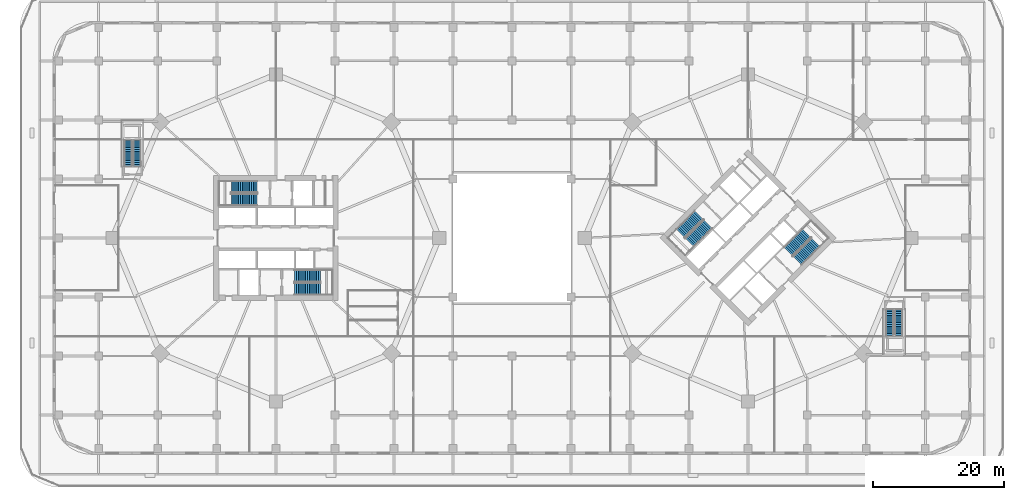
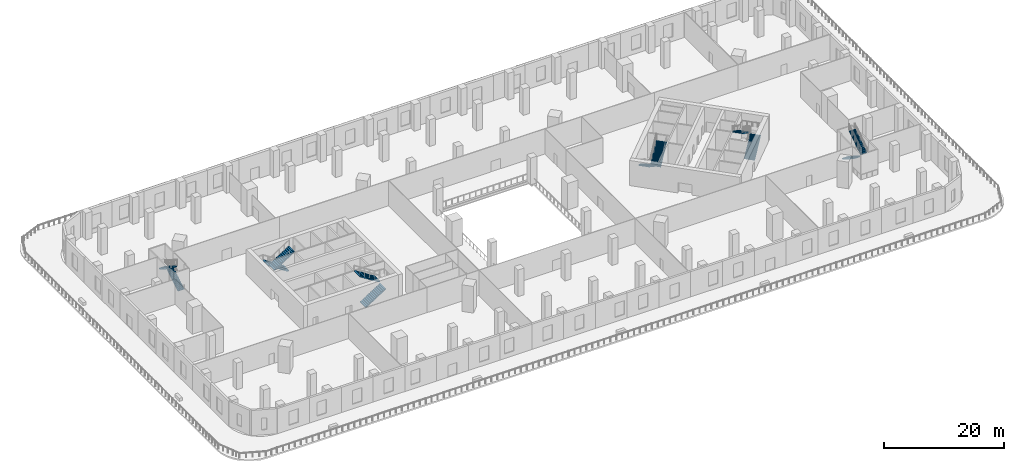
# One storey, part 13 of 20: 12 stair flights, 6 elements without a shape of their own.
"""IFC4 building model written with IfcOpenShell, lengths in metres."""

from ifc_helpers import new_model, si_unit, direction, frame, origin, place, context, subcontext, project, spatial, polyline, outline, extrude, material, type_object, element, aggregate, save


model = new_model("IFC4")

# Units and contexts
model_context = context("Model", 3, precision=1e-05, world=origin(), true_north=direction((0.0, 1.0)))
body_context = subcontext(model_context, "Body", "Model", "MODEL_VIEW")
ifc_project = project(units=[si_unit("LENGTHUNIT", "METRE"), si_unit("AREAUNIT", "SQUARE_METRE"), si_unit("VOLUMEUNIT", "CUBIC_METRE"), si_unit("PLANEANGLEUNIT", "RADIAN"), si_unit("MASSUNIT", "GRAM", prefix="KILO")], contexts=[model_context])

# Site, building, storey
site_placement = place(None, origin())
site = spatial("IfcSite", under=ifc_project, at=site_placement, CompositionType="ELEMENT")
building_placement = place(site_placement, origin())
building = spatial("IfcBuilding", under=site, at=building_placement, Name="Ogive Gate Towers", CompositionType="ELEMENT")
storey_placement = place(building_placement, frame((0.0, 0.0, 7.199951171875)))
storey = spatial("IfcBuildingStorey", under=building, at=storey_placement, Name="L01", CompositionType="ELEMENT", Elevation=7.199951171875)

# Stair, stair flights
ifc_material_1 = material(Name="Reinforced concrete C32/40", Category="concrete")
stair_type_1 = type_object("IfcStairType", Name="Escape stair 180 x 280", PredefinedType="HALF_TURN_STAIR", material=ifc_material_1)
stair_1_placement = place(storey_placement, origin())
stair_1 = element("IfcStair", 1, at=stair_1_placement, inside=storey, type_object=stair_type_1, Name="L01 escape stair", PredefinedType="HALF_TURN_STAIR")
stair_flight_type_1 = type_object("IfcStairFlightType", Name="Escape stair flight 180 x 280", PredefinedType="STRAIGHT", material=ifc_material_1)
stair_flight_1_placement = place(storey_placement, frame((-57.14990234375, 10.949951171875, 0.0), z_axis=(0.0, 0.0, 1.0), x_axis=(0.0, 1.0, 0.0)))
stair_flight_1 = element("IfcStairFlight", 2, at=stair_flight_1_placement, type_object=stair_flight_type_1, Name="PS1 flight 1", NumberOfRisers=15, NumberOfTreads=14, PredefinedType="STRAIGHT", RiserHeight=0.18, TreadLength=0.28, context=body_context, shape_type="SweptSolid", body=[
    extrude(outline(polyline([(0.0, 0.0), (0.0, 0.179931640625), (0.280029296875, 0.179931640625), (0.280029296875, 0.360107421875), (0.56005859375, 0.360107421875), (0.56005859375, 0.5400390625), (0.840087890625, 0.5400390625), (0.840087890625, 0.719970703125), (1.1201171875, 0.719970703125), (1.1201171875, 0.89990234375), (1.39990234375, 0.89990234375), (1.39990234375, 1.080078125), (1.679931640625, 1.080078125), (1.679931640625, 1.260009765625), (1.9599609375, 1.260009765625), (1.9599609375, 1.43994140625), (2.239990234375, 1.43994140625), (2.239990234375, 1.6201171875), (2.52001953125, 1.6201171875), (2.52001953125, 1.800048828125), (2.800048828125, 1.800048828125), (2.800048828125, 1.97998046875), (3.080078125, 1.97998046875), (3.080078125, 2.159912109375), (3.360107421875, 2.159912109375), (3.360107421875, 2.340087890625), (3.639892578125, 2.340087890625), (3.639892578125, 2.52001953125), (3.919921875, 2.52001953125), (3.919921875, 2.699951171875), (3.919921875, 2.341796875), (0.277099609375, 0.0), (0.0, 0.0)])), frame((0.0, 0.60009765625, 0.0), z_axis=(0.0, -1.0, 0.0), x_axis=(1.0, 0.0, 0.0)), (0.0, 0.0, 1.0), 1.199951171875),
])
stair_flight_2_placement = place(storey_placement, frame((-58.5, 14.8701171875, 2.699951171875), z_axis=(0.0, 0.0, 1.0), x_axis=(0.0, -1.0, 0.0)))
stair_flight_2 = element("IfcStairFlight", 3, at=stair_flight_2_placement, type_object=stair_flight_type_1, Name="PS1 flight 2", NumberOfRisers=15, NumberOfTreads=14, PredefinedType="STRAIGHT", RiserHeight=0.18, TreadLength=0.28, context=body_context, shape_type="SweptSolid", body=[
    extrude(outline(polyline([(0.0, 0.0), (0.0, 0.179931640625), (0.280029296875, 0.179931640625), (0.280029296875, 0.360107421875), (0.56005859375, 0.360107421875), (0.56005859375, 0.5400390625), (0.840087890625, 0.5400390625), (0.840087890625, 0.719970703125), (1.1201171875, 0.719970703125), (1.1201171875, 0.89990234375), (1.39990234375, 0.89990234375), (1.39990234375, 1.080078125), (1.679931640625, 1.080078125), (1.679931640625, 1.260009765625), (1.9599609375, 1.260009765625), (1.9599609375, 1.43994140625), (2.239990234375, 1.43994140625), (2.239990234375, 1.6201171875), (2.52001953125, 1.6201171875), (2.52001953125, 1.800048828125), (2.800048828125, 1.800048828125), (2.800048828125, 1.97998046875), (3.080078125, 1.97998046875), (3.080078125, 2.159912109375), (3.360107421875, 2.159912109375), (3.360107421875, 2.340087890625), (3.639892578125, 2.340087890625), (3.639892578125, 2.52001953125), (3.919921875, 2.52001953125), (3.919921875, 2.699951171875), (3.919921875, 2.341796875), (0.277099609375, 0.0), (0.0, 0.0)])), frame((0.0, 0.60009765625, 0.0), z_axis=(0.0, -1.0, 0.0), x_axis=(1.0, 0.0, 0.0)), (0.0, 0.0, 1.0), 1.199951171875),
])
aggregate(stair_1, [stair_flight_1, stair_flight_2])

stair_2_placement = place(storey_placement, origin())
stair_2 = element("IfcStair", 4, at=stair_2_placement, inside=storey, type_object=stair_type_1, Name="L01 escape stair", PredefinedType="HALF_TURN_STAIR")
stair_flight_3_placement = place(storey_placement, frame((57.60009765625, -10.949951171875, 0.0), z_axis=(0.0, 0.0, 1.0), x_axis=(0.0, -1.0, 0.0)))
stair_flight_3 = element("IfcStairFlight", 5, at=stair_flight_3_placement, type_object=stair_flight_type_1, Name="PS2 flight 1", NumberOfRisers=15, NumberOfTreads=14, PredefinedType="STRAIGHT", RiserHeight=0.18, TreadLength=0.28, context=body_context, shape_type="SweptSolid", body=[
    extrude(outline(polyline([(0.0, 0.0), (0.0, 0.179931640625), (0.280029296875, 0.179931640625), (0.280029296875, 0.360107421875), (0.56005859375, 0.360107421875), (0.56005859375, 0.5400390625), (0.840087890625, 0.5400390625), (0.840087890625, 0.719970703125), (1.1201171875, 0.719970703125), (1.1201171875, 0.89990234375), (1.39990234375, 0.89990234375), (1.39990234375, 1.080078125), (1.679931640625, 1.080078125), (1.679931640625, 1.260009765625), (1.9599609375, 1.260009765625), (1.9599609375, 1.43994140625), (2.239990234375, 1.43994140625), (2.239990234375, 1.6201171875), (2.52001953125, 1.6201171875), (2.52001953125, 1.800048828125), (2.800048828125, 1.800048828125), (2.800048828125, 1.97998046875), (3.080078125, 1.97998046875), (3.080078125, 2.159912109375), (3.360107421875, 2.159912109375), (3.360107421875, 2.340087890625), (3.639892578125, 2.340087890625), (3.639892578125, 2.52001953125), (3.919921875, 2.52001953125), (3.919921875, 2.699951171875), (3.919921875, 2.341796875), (0.277099609375, 0.0), (0.0, 0.0)])), frame((0.0, 0.60009765625, 0.0), z_axis=(0.0, -1.0, 0.0), x_axis=(1.0, 0.0, 0.0)), (0.0, 0.0, 1.0), 1.199951171875),
])
stair_flight_4_placement = place(storey_placement, frame((58.949951171875, -14.8701171875, 2.699951171875), z_axis=(0.0, 0.0, 1.0), x_axis=(0.0, 1.0, 0.0)))
stair_flight_4 = element("IfcStairFlight", 6, at=stair_flight_4_placement, type_object=stair_flight_type_1, Name="PS2 flight 2", NumberOfRisers=15, NumberOfTreads=14, PredefinedType="STRAIGHT", RiserHeight=0.18, TreadLength=0.28, context=body_context, shape_type="SweptSolid", body=[
    extrude(outline(polyline([(0.0, 0.0), (0.0, 0.179931640625), (0.280029296875, 0.179931640625), (0.280029296875, 0.360107421875), (0.56005859375, 0.360107421875), (0.56005859375, 0.5400390625), (0.840087890625, 0.5400390625), (0.840087890625, 0.719970703125), (1.1201171875, 0.719970703125), (1.1201171875, 0.89990234375), (1.39990234375, 0.89990234375), (1.39990234375, 1.080078125), (1.679931640625, 1.080078125), (1.679931640625, 1.260009765625), (1.9599609375, 1.260009765625), (1.9599609375, 1.43994140625), (2.239990234375, 1.43994140625), (2.239990234375, 1.6201171875), (2.52001953125, 1.6201171875), (2.52001953125, 1.800048828125), (2.800048828125, 1.800048828125), (2.800048828125, 1.97998046875), (3.080078125, 1.97998046875), (3.080078125, 2.159912109375), (3.360107421875, 2.159912109375), (3.360107421875, 2.340087890625), (3.639892578125, 2.340087890625), (3.639892578125, 2.52001953125), (3.919921875, 2.52001953125), (3.919921875, 2.699951171875), (3.919921875, 2.341796875), (0.277099609375, 0.0), (0.0, 0.0)])), frame((0.0, 0.60009765625, 0.0), z_axis=(0.0, -1.0, 0.0), x_axis=(1.0, 0.0, 0.0)), (0.0, 0.0, 1.0), 1.199951171875),
])
aggregate(stair_2, [stair_flight_3, stair_flight_4])

ifc_material_2 = material(Name="Concrete C40/50", Category="concrete")
stair_type_2 = type_object("IfcStairType", Name="Escape stair 1840 wide", PredefinedType="HALF_TURN_STAIR", material=ifc_material_2)
stair_3_placement = place(storey_placement, origin())
stair_3 = element("IfcStair", 7, at=stair_3_placement, inside=storey, type_object=stair_type_2, Name="L01 Escape stair 1", PredefinedType="HALF_TURN_STAIR")
stair_flight_type_2 = type_object("IfcStairFlightType", Name="Stair flight 1840 wide", PredefinedType="STRAIGHT", material=ifc_material_2)
stair_flight_5_placement = place(storey_placement, frame((-38.864990234375, 7.780029296875, 0.0), z_axis=(0.0, 0.0, 1.0), x_axis=(-1.0, 0.0, 0.0)))
stair_flight_5 = element("IfcStairFlight", 8, at=stair_flight_5_placement, type_object=stair_flight_type_2, Name="ST1 flight 1", NumberOfRisers=15, NumberOfTreads=14, PredefinedType="STRAIGHT", RiserHeight=0.18, TreadLength=0.28, context=body_context, shape_type="SweptSolid", body=[
    extrude(outline(polyline([(0.0, 0.0), (0.0, 0.179931640625), (0.280029296875, 0.179931640625), (0.280029296875, 0.360107421875), (0.56005859375, 0.360107421875), (0.56005859375, 0.5400390625), (0.840087890625, 0.5400390625), (0.840087890625, 0.719970703125), (1.1201171875, 0.719970703125), (1.1201171875, 0.89990234375), (1.39990234375, 0.89990234375), (1.39990234375, 1.080078125), (1.679931640625, 1.080078125), (1.679931640625, 1.260009765625), (1.9599609375, 1.260009765625), (1.9599609375, 1.43994140625), (2.239990234375, 1.43994140625), (2.239990234375, 1.6201171875), (2.52001953125, 1.6201171875), (2.52001953125, 1.800048828125), (2.800048828125, 1.800048828125), (2.800048828125, 1.97998046875), (3.080078125, 1.97998046875), (3.080078125, 2.159912109375), (3.360107421875, 2.159912109375), (3.360107421875, 2.340087890625), (3.639892578125, 2.340087890625), (3.639892578125, 2.52001953125), (3.919921875, 2.52001953125), (3.919921875, 2.699951171875), (3.919921875, 2.341796875), (0.277099609375, 0.0), (0.0, 0.0)])), frame((0.0, 0.919921875, 0.0), z_axis=(0.0, -1.0, 0.0), x_axis=(1.0, 0.0, 0.0)), (0.0, 0.0, 1.0), 1.840087890625),
])
stair_flight_6_placement = place(storey_placement, frame((-42.784912109375, 5.794921875, 2.699951171875), z_axis=(0.0, 0.0, 1.0), x_axis=(1.0, 0.0, 0.0)))
stair_flight_6 = element("IfcStairFlight", 9, at=stair_flight_6_placement, type_object=stair_flight_type_2, Name="ST1 flight 2", NumberOfRisers=15, NumberOfTreads=14, PredefinedType="STRAIGHT", RiserHeight=0.18, TreadLength=0.28, context=body_context, shape_type="SweptSolid", body=[
    extrude(outline(polyline([(0.0, 0.0), (0.0, 0.179931640625), (0.280029296875, 0.179931640625), (0.280029296875, 0.360107421875), (0.56005859375, 0.360107421875), (0.56005859375, 0.5400390625), (0.840087890625, 0.5400390625), (0.840087890625, 0.719970703125), (1.1201171875, 0.719970703125), (1.1201171875, 0.89990234375), (1.39990234375, 0.89990234375), (1.39990234375, 1.080078125), (1.679931640625, 1.080078125), (1.679931640625, 1.260009765625), (1.9599609375, 1.260009765625), (1.9599609375, 1.43994140625), (2.239990234375, 1.43994140625), (2.239990234375, 1.6201171875), (2.52001953125, 1.6201171875), (2.52001953125, 1.800048828125), (2.800048828125, 1.800048828125), (2.800048828125, 1.97998046875), (3.080078125, 1.97998046875), (3.080078125, 2.159912109375), (3.360107421875, 2.159912109375), (3.360107421875, 2.340087890625), (3.639892578125, 2.340087890625), (3.639892578125, 2.52001953125), (3.919921875, 2.52001953125), (3.919921875, 2.699951171875), (3.919921875, 2.341796875), (0.277099609375, 0.0), (0.0, 0.0)])), frame((0.0, 0.919921875, 0.0), z_axis=(0.0, -1.0, 0.0), x_axis=(1.0, 0.0, 0.0)), (0.0, 0.0, 1.0), 1.840087890625),
])
aggregate(stair_3, [stair_flight_5, stair_flight_6])

stair_4_placement = place(storey_placement, origin())
stair_4 = element("IfcStair", 10, at=stair_4_placement, inside=storey, type_object=stair_type_2, Name="L01 Escape stair 2", PredefinedType="HALF_TURN_STAIR")
stair_flight_7_placement = place(storey_placement, frame((-33.135009765625, -7.780029296875, 0.0), z_axis=(0.0, 0.0, 1.0), x_axis=(1.0, 0.0, 0.0)))
stair_flight_7 = element("IfcStairFlight", 11, at=stair_flight_7_placement, type_object=stair_flight_type_2, Name="ST2 flight 1", NumberOfRisers=15, NumberOfTreads=14, PredefinedType="STRAIGHT", RiserHeight=0.18, TreadLength=0.28, context=body_context, shape_type="SweptSolid", body=[
    extrude(outline(polyline([(0.0, 0.0), (0.0, 0.179931640625), (0.280029296875, 0.179931640625), (0.280029296875, 0.360107421875), (0.56005859375, 0.360107421875), (0.56005859375, 0.5400390625), (0.840087890625, 0.5400390625), (0.840087890625, 0.719970703125), (1.1201171875, 0.719970703125), (1.1201171875, 0.89990234375), (1.39990234375, 0.89990234375), (1.39990234375, 1.080078125), (1.679931640625, 1.080078125), (1.679931640625, 1.260009765625), (1.9599609375, 1.260009765625), (1.9599609375, 1.43994140625), (2.239990234375, 1.43994140625), (2.239990234375, 1.6201171875), (2.52001953125, 1.6201171875), (2.52001953125, 1.800048828125), (2.800048828125, 1.800048828125), (2.800048828125, 1.97998046875), (3.080078125, 1.97998046875), (3.080078125, 2.159912109375), (3.360107421875, 2.159912109375), (3.360107421875, 2.340087890625), (3.639892578125, 2.340087890625), (3.639892578125, 2.52001953125), (3.919921875, 2.52001953125), (3.919921875, 2.699951171875), (3.919921875, 2.341796875), (0.277099609375, 0.0), (0.0, 0.0)])), frame((0.0, 0.919921875, 0.0), z_axis=(0.0, -1.0, 0.0), x_axis=(1.0, 0.0, 0.0)), (0.0, 0.0, 1.0), 1.840087890625),
])
stair_flight_8_placement = place(storey_placement, frame((-29.215087890625, -5.794921875, 2.699951171875), z_axis=(0.0, 0.0, 1.0), x_axis=(-1.0, 0.0, 0.0)))
stair_flight_8 = element("IfcStairFlight", 12, at=stair_flight_8_placement, type_object=stair_flight_type_2, Name="ST2 flight 2", NumberOfRisers=15, NumberOfTreads=14, PredefinedType="STRAIGHT", RiserHeight=0.18, TreadLength=0.28, context=body_context, shape_type="SweptSolid", body=[
    extrude(outline(polyline([(0.0, 0.0), (0.0, 0.179931640625), (0.280029296875, 0.179931640625), (0.280029296875, 0.360107421875), (0.56005859375, 0.360107421875), (0.56005859375, 0.5400390625), (0.840087890625, 0.5400390625), (0.840087890625, 0.719970703125), (1.1201171875, 0.719970703125), (1.1201171875, 0.89990234375), (1.39990234375, 0.89990234375), (1.39990234375, 1.080078125), (1.679931640625, 1.080078125), (1.679931640625, 1.260009765625), (1.9599609375, 1.260009765625), (1.9599609375, 1.43994140625), (2.239990234375, 1.43994140625), (2.239990234375, 1.6201171875), (2.52001953125, 1.6201171875), (2.52001953125, 1.800048828125), (2.800048828125, 1.800048828125), (2.800048828125, 1.97998046875), (3.080078125, 1.97998046875), (3.080078125, 2.159912109375), (3.360107421875, 2.159912109375), (3.360107421875, 2.340087890625), (3.639892578125, 2.340087890625), (3.639892578125, 2.52001953125), (3.919921875, 2.52001953125), (3.919921875, 2.699951171875), (3.919921875, 2.341796875), (0.277099609375, 0.0), (0.0, 0.0)])), frame((0.0, 0.919921875, 0.0), z_axis=(0.0, -1.0, 0.0), x_axis=(1.0, 0.0, 0.0)), (0.0, 0.0, 1.0), 1.840087890625),
])
aggregate(stair_4, [stair_flight_7, stair_flight_8])

stair_5_placement = place(storey_placement, origin())
stair_5 = element("IfcStair", 13, at=stair_5_placement, inside=storey, type_object=stair_type_2, Name="L01 Escape stair 1", PredefinedType="HALF_TURN_STAIR")
stair_flight_9_placement = place(storey_placement, frame((28.472900390625, 3.475341796875, 0.0), z_axis=(0.0, 0.0, 1.0), x_axis=(-0.707106781187, -0.707106781187, 0.0)))
stair_flight_9 = element("IfcStairFlight", 14, at=stair_flight_9_placement, type_object=stair_flight_type_2, Name="ST1 flight 1", NumberOfRisers=15, NumberOfTreads=14, PredefinedType="STRAIGHT", RiserHeight=0.18, TreadLength=0.28, context=body_context, shape_type="SweptSolid", body=[
    extrude(outline(polyline([(0.0, 0.0), (0.0, 0.179931640625), (0.280029296875, 0.179931640625), (0.280029296875, 0.360107421875), (0.56005859375, 0.360107421875), (0.56005859375, 0.5400390625), (0.840087890625, 0.5400390625), (0.840087890625, 0.719970703125), (1.1201171875, 0.719970703125), (1.1201171875, 0.89990234375), (1.39990234375, 0.89990234375), (1.39990234375, 1.080078125), (1.679931640625, 1.080078125), (1.679931640625, 1.260009765625), (1.9599609375, 1.260009765625), (1.9599609375, 1.43994140625), (2.239990234375, 1.43994140625), (2.239990234375, 1.6201171875), (2.52001953125, 1.6201171875), (2.52001953125, 1.800048828125), (2.800048828125, 1.800048828125), (2.800048828125, 1.97998046875), (3.080078125, 1.97998046875), (3.080078125, 2.159912109375), (3.360107421875, 2.159912109375), (3.360107421875, 2.340087890625), (3.639892578125, 2.340087890625), (3.639892578125, 2.52001953125), (3.919921875, 2.52001953125), (3.919921875, 2.699951171875), (3.919921875, 2.341796875), (0.277099609375, 0.0), (0.0, 0.0)])), frame((0.0, 0.919921875, 0.0), z_axis=(0.0, -1.0, 0.0), x_axis=(1.0, 0.0, 0.0)), (0.0, 0.0, 1.0), 1.840087890625),
])
stair_flight_10_placement = place(storey_placement, frame((27.1044921875, -0.699951171875, 2.699951171875), z_axis=(0.0, 0.0, 1.0), x_axis=(0.707106781187, 0.707106781187, 0.0)))
stair_flight_10 = element("IfcStairFlight", 15, at=stair_flight_10_placement, type_object=stair_flight_type_2, Name="ST1 flight 2", NumberOfRisers=15, NumberOfTreads=14, PredefinedType="STRAIGHT", RiserHeight=0.18, TreadLength=0.28, context=body_context, shape_type="SweptSolid", body=[
    extrude(outline(polyline([(0.0, 0.0), (0.0, 0.179931640625), (0.280029296875, 0.179931640625), (0.280029296875, 0.360107421875), (0.56005859375, 0.360107421875), (0.56005859375, 0.5400390625), (0.840087890625, 0.5400390625), (0.840087890625, 0.719970703125), (1.1201171875, 0.719970703125), (1.1201171875, 0.89990234375), (1.39990234375, 0.89990234375), (1.39990234375, 1.080078125), (1.679931640625, 1.080078125), (1.679931640625, 1.260009765625), (1.9599609375, 1.260009765625), (1.9599609375, 1.43994140625), (2.239990234375, 1.43994140625), (2.239990234375, 1.6201171875), (2.52001953125, 1.6201171875), (2.52001953125, 1.800048828125), (2.800048828125, 1.800048828125), (2.800048828125, 1.97998046875), (3.080078125, 1.97998046875), (3.080078125, 2.159912109375), (3.360107421875, 2.159912109375), (3.360107421875, 2.340087890625), (3.639892578125, 2.340087890625), (3.639892578125, 2.52001953125), (3.919921875, 2.52001953125), (3.919921875, 2.699951171875), (3.919921875, 2.341796875), (0.277099609375, 0.0), (0.0, 0.0)])), frame((0.0, 0.919921875, 0.0), z_axis=(0.0, -1.0, 0.0), x_axis=(1.0, 0.0, 0.0)), (0.0, 0.0, 1.0), 1.840087890625),
])
aggregate(stair_5, [stair_flight_9, stair_flight_10])

stair_6_placement = place(storey_placement, origin())
stair_6 = element("IfcStair", 16, at=stair_6_placement, inside=storey, type_object=stair_type_2, Name="L01 Escape stair 2", PredefinedType="HALF_TURN_STAIR")
stair_flight_11_placement = place(storey_placement, frame((43.527099609375, -3.475341796875, 0.0), z_axis=(0.0, 0.0, 1.0), x_axis=(0.707106781187, 0.707106781187, 0.0)))
stair_flight_11 = element("IfcStairFlight", 17, at=stair_flight_11_placement, type_object=stair_flight_type_2, Name="ST2 flight 1", NumberOfRisers=15, NumberOfTreads=14, PredefinedType="STRAIGHT", RiserHeight=0.18, TreadLength=0.28, context=body_context, shape_type="SweptSolid", body=[
    extrude(outline(polyline([(0.0, 0.0), (0.0, 0.179931640625), (0.280029296875, 0.179931640625), (0.280029296875, 0.360107421875), (0.56005859375, 0.360107421875), (0.56005859375, 0.5400390625), (0.840087890625, 0.5400390625), (0.840087890625, 0.719970703125), (1.1201171875, 0.719970703125), (1.1201171875, 0.89990234375), (1.39990234375, 0.89990234375), (1.39990234375, 1.080078125), (1.679931640625, 1.080078125), (1.679931640625, 1.260009765625), (1.9599609375, 1.260009765625), (1.9599609375, 1.43994140625), (2.239990234375, 1.43994140625), (2.239990234375, 1.6201171875), (2.52001953125, 1.6201171875), (2.52001953125, 1.800048828125), (2.800048828125, 1.800048828125), (2.800048828125, 1.97998046875), (3.080078125, 1.97998046875), (3.080078125, 2.159912109375), (3.360107421875, 2.159912109375), (3.360107421875, 2.340087890625), (3.639892578125, 2.340087890625), (3.639892578125, 2.52001953125), (3.919921875, 2.52001953125), (3.919921875, 2.699951171875), (3.919921875, 2.341796875), (0.277099609375, 0.0), (0.0, 0.0)])), frame((0.0, 0.919921875, 0.0), z_axis=(0.0, -1.0, 0.0), x_axis=(1.0, 0.0, 0.0)), (0.0, 0.0, 1.0), 1.840087890625),
])
stair_flight_12_placement = place(storey_placement, frame((44.8955078125, 0.699951171875, 2.699951171875), z_axis=(0.0, 0.0, 1.0), x_axis=(-0.707106781187, -0.707106781187, 0.0)))
stair_flight_12 = element("IfcStairFlight", 18, at=stair_flight_12_placement, type_object=stair_flight_type_2, Name="ST2 flight 2", NumberOfRisers=15, NumberOfTreads=14, PredefinedType="STRAIGHT", RiserHeight=0.18, TreadLength=0.28, context=body_context, shape_type="SweptSolid", body=[
    extrude(outline(polyline([(0.0, 0.0), (0.0, 0.179931640625), (0.280029296875, 0.179931640625), (0.280029296875, 0.360107421875), (0.56005859375, 0.360107421875), (0.56005859375, 0.5400390625), (0.840087890625, 0.5400390625), (0.840087890625, 0.719970703125), (1.1201171875, 0.719970703125), (1.1201171875, 0.89990234375), (1.39990234375, 0.89990234375), (1.39990234375, 1.080078125), (1.679931640625, 1.080078125), (1.679931640625, 1.260009765625), (1.9599609375, 1.260009765625), (1.9599609375, 1.43994140625), (2.239990234375, 1.43994140625), (2.239990234375, 1.6201171875), (2.52001953125, 1.6201171875), (2.52001953125, 1.800048828125), (2.800048828125, 1.800048828125), (2.800048828125, 1.97998046875), (3.080078125, 1.97998046875), (3.080078125, 2.159912109375), (3.360107421875, 2.159912109375), (3.360107421875, 2.340087890625), (3.639892578125, 2.340087890625), (3.639892578125, 2.52001953125), (3.919921875, 2.52001953125), (3.919921875, 2.699951171875), (3.919921875, 2.341796875), (0.277099609375, 0.0), (0.0, 0.0)])), frame((0.0, 0.919921875, 0.0), z_axis=(0.0, -1.0, 0.0), x_axis=(1.0, 0.0, 0.0)), (0.0, 0.0, 1.0), 1.840087890625),
])
aggregate(stair_6, [stair_flight_11, stair_flight_12])

save(model, "model.ifc")
